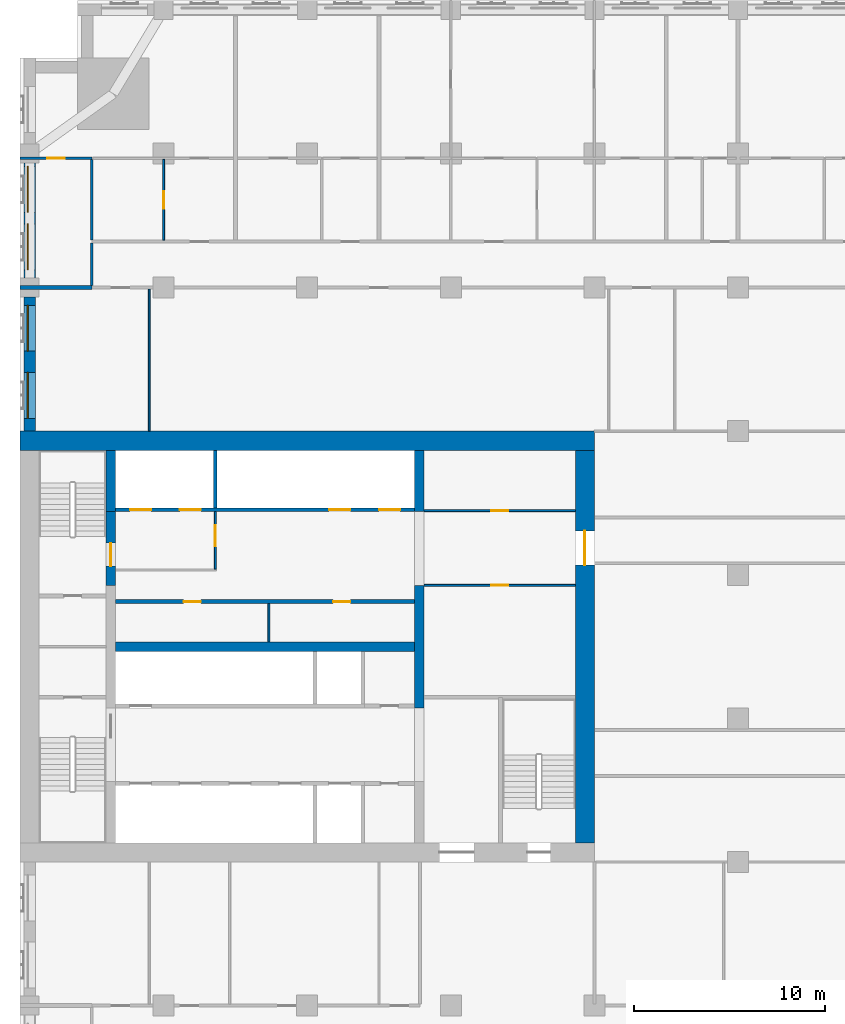
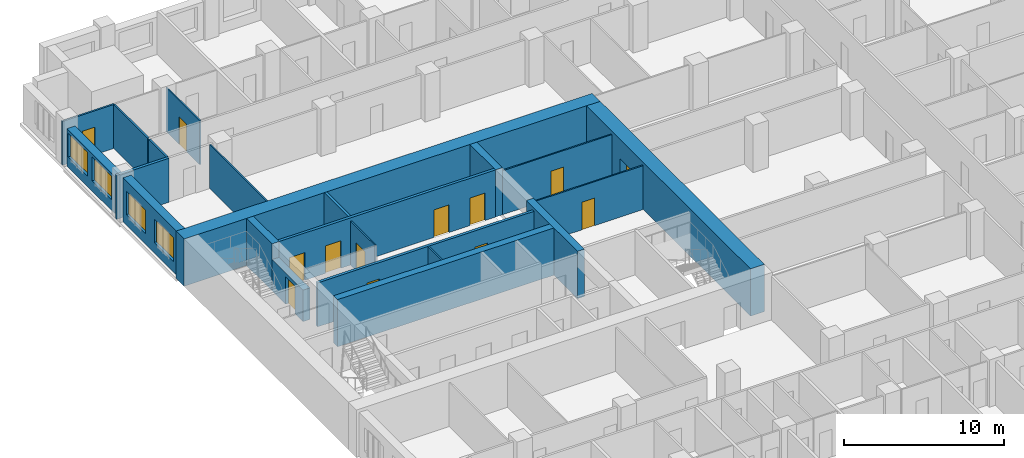
# One storey, part 8 of 14: 22 walls, 13 doors, 4 windows, 17 openings.
"""IFC4 building model written with IfcOpenShell, lengths in metres."""

from ifc_helpers import new_model, si_unit, direction, frame, frame_2d, origin, place, context, subcontext, project, spatial, rectangle, extrude, material, layer, layer_set, type_object, element, fill, save


model = new_model("IFC4")

# Units and contexts
model_context = context("Model", 3, precision=1e-05, world=origin(), true_north=direction((0.0, 1.0)))
body_context = subcontext(model_context, "Body", "Model", "MODEL_VIEW")
ifc_project = project(units=[si_unit("LENGTHUNIT", "METRE"), si_unit("AREAUNIT", "SQUARE_METRE"), si_unit("VOLUMEUNIT", "CUBIC_METRE"), si_unit("PLANEANGLEUNIT", "RADIAN"), si_unit("MASSUNIT", "GRAM", prefix="KILO")], contexts=[model_context])

# Site, building, storey
site_placement = place(None, origin())
site = spatial("IfcSite", under=ifc_project, at=site_placement, CompositionType="ELEMENT")
building_placement = place(site_placement, origin())
building = spatial("IfcBuilding", under=site, at=building_placement, Name="Tamorin Gate", CompositionType="ELEMENT")
storey_placement = place(building_placement, frame((0.0, 0.0, 104.300048828125)))
storey = spatial("IfcBuildingStorey", under=building, at=storey_placement, Name="L25", CompositionType="ELEMENT", Elevation=104.300048828125)

# Wall, openings, windows
ifc_material_1 = material(Name="Precast concrete C40/50", Category="concrete")
ifc_layer_1 = layer(ifc_material_1, 0.60009765625)
ifc_layer_set_1 = layer_set([ifc_layer_1], Name="Precast concrete C40/50")
wall_type_1 = type_object("IfcWallType", Name="Board-marked concrete facade panel 600", PredefinedType="SOLIDWALL", material=ifc_layer_set_1)
wall_1_placement = place(storey_placement, frame((30.5, 96.5, 0.0), z_axis=(0.0, 0.0, 1.0), x_axis=(0.0, -1.0, 0.0)))
wall_1 = element("IfcWall", 1, at=wall_1_placement, inside=storey, type_object=wall_type_1, Name="Facade panel", PredefinedType="SOLIDWALL", context=body_context, shape_type="SweptSolid", body=[
    extrude(rectangle(XDim=6.0, YDim=0.60009765625, at=frame_2d((3.0, 0.0))), origin(), (0.0, 0.0, 1.0), 2.849853515625),
])
opening_1_placement = place(wall_1_placement, frame((3.175048828125, 0.0, 0.800048828125)))
opening_1 = element("IfcOpeningElement", 2, at=opening_1_placement, cuts=wall_1, Name="Opening WN1", PredefinedType="OPENING", context=body_context, shape_type="SweptSolid", body=[
    extrude(rectangle(XDim=2.39990234375, YDim=1.800048828125, at=frame_2d((1.199951171875, 0.89990234375))), frame((0.0, 0.31005859375, 0.0), z_axis=(0.0, -1.0, 0.0), x_axis=(1.0, 0.0, 0.0)), (0.0, 0.0, 1.0), 0.6201171875),
])
opening_2_placement = place(wall_1_placement, frame((0.175048828125, 0.0, 0.800048828125)))
opening_2 = element("IfcOpeningElement", 3, at=opening_2_placement, cuts=wall_1, Name="Opening WN1", PredefinedType="OPENING", context=body_context, shape_type="SweptSolid", body=[
    extrude(rectangle(XDim=2.39990234375, YDim=1.800048828125, at=frame_2d((1.199951171875, 0.89990234375))), frame((0.0, 0.31005859375, 0.0), z_axis=(0.0, -1.0, 0.0), x_axis=(1.0, 0.0, 0.0)), (0.0, 0.0, 1.0), 0.6201171875),
])
ifc_material_2 = material(Name="Clear glass in aluminium frame", Category="aluminium")
window_type = type_object("IfcWindowType", Name="Deep-set window 2400x1800", PartitioningType="SINGLE_PANEL", PredefinedType="WINDOW", material=ifc_material_2)
window_1_placement = place(opening_1_placement, origin())
window_1 = element("IfcWindow", 4, at=window_1_placement, inside=storey, type_object=window_type, Name="Deep-set window", OverallHeight=1.800048828125, OverallWidth=2.39990234375, PartitioningType="SINGLE_PANEL", PredefinedType="WINDOW", context=body_context, shape_type="SweptSolid", body=[
    extrude(rectangle(XDim=2.39990234375, YDim=1.800048828125, at=frame_2d((1.199951171875, 0.89990234375))), frame((0.0, -0.070068359375, 0.0), z_axis=(0.0, -1.0, 0.0), x_axis=(1.0, 0.0, 0.0)), (0.0, 0.0, 1.0), 0.06005859375),
])
fill(opening_1, window_1)
window_2_placement = place(opening_2_placement, origin())
window_2 = element("IfcWindow", 5, at=window_2_placement, inside=storey, type_object=window_type, Name="Deep-set window", OverallHeight=1.800048828125, OverallWidth=2.39990234375, PartitioningType="SINGLE_PANEL", PredefinedType="WINDOW", context=body_context, shape_type="SweptSolid", body=[
    extrude(rectangle(XDim=2.39990234375, YDim=1.800048828125, at=frame_2d((1.199951171875, 0.89990234375))), frame((0.0, -0.070068359375, 0.0), z_axis=(0.0, -1.0, 0.0), x_axis=(1.0, 0.0, 0.0)), (0.0, 0.0, 1.0), 0.06005859375),
])
fill(opening_2, window_2)

wall_2_placement = place(storey_placement, frame((30.5, 89.5, 0.0), z_axis=(0.0, 0.0, 1.0), x_axis=(0.0, -1.0, 0.0)))
wall_2 = element("IfcWall", 6, at=wall_2_placement, inside=storey, type_object=wall_type_1, Name="Facade panel", PredefinedType="SOLIDWALL", context=body_context, shape_type="SweptSolid", body=[
    extrude(rectangle(XDim=7.0, YDim=0.60009765625, at=frame_2d((3.5, 0.0))), origin(), (0.0, 0.0, 1.0), 3.349853515625),
])
opening_3_placement = place(wall_2_placement, frame((3.925048828125, 0.0, 0.800048828125)))
opening_3 = element("IfcOpeningElement", 7, at=opening_3_placement, cuts=wall_2, Name="Opening WN1", PredefinedType="OPENING", context=body_context, shape_type="SweptSolid", body=[
    extrude(rectangle(XDim=2.39990234375, YDim=1.800048828125, at=frame_2d((1.199951171875, 0.89990234375))), frame((0.0, 0.31005859375, 0.0), z_axis=(0.0, -1.0, 0.0), x_axis=(1.0, 0.0, 0.0)), (0.0, 0.0, 1.0), 0.6201171875),
])
opening_4_placement = place(wall_2_placement, frame((0.425048828125, 0.0, 0.800048828125)))
opening_4 = element("IfcOpeningElement", 8, at=opening_4_placement, cuts=wall_2, Name="Opening WN1", PredefinedType="OPENING", context=body_context, shape_type="SweptSolid", body=[
    extrude(rectangle(XDim=2.39990234375, YDim=1.800048828125, at=frame_2d((1.199951171875, 0.89990234375))), frame((0.0, 0.31005859375, 0.0), z_axis=(0.0, -1.0, 0.0), x_axis=(1.0, 0.0, 0.0)), (0.0, 0.0, 1.0), 0.6201171875),
])
window_3_placement = place(opening_3_placement, origin())
window_3 = element("IfcWindow", 9, at=window_3_placement, inside=storey, type_object=window_type, Name="Deep-set window", OverallHeight=1.800048828125, OverallWidth=2.39990234375, PartitioningType="SINGLE_PANEL", PredefinedType="WINDOW", context=body_context, shape_type="SweptSolid", body=[
    extrude(rectangle(XDim=2.39990234375, YDim=1.800048828125, at=frame_2d((1.199951171875, 0.89990234375))), frame((0.0, -0.070068359375, 0.0), z_axis=(0.0, -1.0, 0.0), x_axis=(1.0, 0.0, 0.0)), (0.0, 0.0, 1.0), 0.06005859375),
])
fill(opening_3, window_3)
window_4_placement = place(opening_4_placement, origin())
window_4 = element("IfcWindow", 10, at=window_4_placement, inside=storey, type_object=window_type, Name="Deep-set window", OverallHeight=1.800048828125, OverallWidth=2.39990234375, PartitioningType="SINGLE_PANEL", PredefinedType="WINDOW", context=body_context, shape_type="SweptSolid", body=[
    extrude(rectangle(XDim=2.39990234375, YDim=1.800048828125, at=frame_2d((1.199951171875, 0.89990234375))), frame((0.0, -0.070068359375, 0.0), z_axis=(0.0, -1.0, 0.0), x_axis=(1.0, 0.0, 0.0)), (0.0, 0.0, 1.0), 0.06005859375),
])
fill(opening_4, window_4)

# Walls
ifc_material_3 = material(Name="Gypsum board partition")
ifc_layer_2 = layer(ifc_material_3, 0.14990234375)
ifc_layer_set_2 = layer_set([ifc_layer_2], Name="Corridor wall 150")
wall_type_2 = type_object("IfcWallType", Name="Corridor wall 150", PredefinedType="PARTITIONING", material=ifc_layer_set_2)
wall_3_placement = place(storey_placement, frame((33.75, 90.10009765625, 0.0), z_axis=(0.0, 0.0, 1.0), x_axis=(0.0, 1.0, 0.0)))
element("IfcWall", 11, at=wall_3_placement, inside=storey, type_object=wall_type_2, Name="Corridor wall 150", PredefinedType="PARTITIONING", context=body_context, shape_type="SweptSolid", body=[
    extrude(rectangle(XDim=2.224853515625, YDim=0.14990234375, at=frame_2d((1.1123046875, 0.0))), origin(), (0.0, 0.0, 1.0), 3.349853515625),
])
ifc_layer_3 = layer(ifc_material_3, 0.199951171875)
ifc_layer_set_3 = layer_set([ifc_layer_3], Name="Demising wall 200")
wall_type_3 = type_object("IfcWallType", Name="Demising wall 200", PredefinedType="PARTITIONING", material=ifc_layer_set_3)
wall_4_placement = place(storey_placement, frame((30.0, 90.0, 0.0), z_axis=(0.0, 0.0, 1.0), x_axis=(1.0, 0.0, 0.0)))
element("IfcWall", 12, at=wall_4_placement, inside=storey, type_object=wall_type_3, Name="Demising wall 200", PredefinedType="PARTITIONING", context=body_context, shape_type="SweptSolid", body=[
    extrude(rectangle(XDim=3.75, YDim=0.199951171875, at=frame_2d((1.875, 0.0))), origin(), (0.0, 0.0, 1.0), 3.349853515625),
])

# Wall, openings, doors
ifc_material_4 = material(Name="Concrete C32/40", Category="concrete")
ifc_layer_4 = layer(ifc_material_4, 0.199951171875)
ifc_layer_set_4 = layer_set([ifc_layer_4], Name="Lift lobby face wall 200 EI 120")
wall_type_4 = type_object("IfcWallType", Name="Lift lobby face wall 200 EI 120", PredefinedType="SOLIDWALL", material=ifc_layer_set_4)
wall_5_placement = place(storey_placement, frame((35.0, 78.39990234375, 0.0), z_axis=(0.0, 0.0, 1.0), x_axis=(1.0, 0.0, 0.0)))
wall_5 = element("IfcWall", 13, at=wall_5_placement, inside=storey, type_object=wall_type_4, Name="Lift lobby face wall", PredefinedType="SOLIDWALL", context=body_context, shape_type="SweptSolid", body=[
    extrude(rectangle(XDim=15.60009765625, YDim=0.199951171875, at=frame_2d((7.800048828125, 0.0))), origin(), (0.0, 0.0, 1.0), 3.599853515625),
])
opening_5_placement = place(wall_5_placement, frame((0.75, 0.0, 0.0)))
opening_5 = element("IfcOpeningElement", 14, at=opening_5_placement, cuts=wall_5, Name="Opening LD17", PredefinedType="OPENING", context=body_context, shape_type="SweptSolid", body=[
    extrude(rectangle(XDim=1.10009765625, YDim=2.10009765625, at=frame_2d((0.550048828125, 1.050048828125))), frame((0.0, 0.10986328125, 0.0), z_axis=(0.0, -1.0, 0.0), x_axis=(1.0, 0.0, 0.0)), (0.0, 0.0, 1.0), 0.219970703125),
])
opening_6_placement = place(wall_5_placement, frame((3.35009765625, 0.0, 0.0)))
opening_6 = element("IfcOpeningElement", 15, at=opening_6_placement, cuts=wall_5, Name="Opening LD18", PredefinedType="OPENING", context=body_context, shape_type="SweptSolid", body=[
    extrude(rectangle(XDim=1.10009765625, YDim=2.10009765625, at=frame_2d((0.550048828125, 1.050048828125))), frame((0.0, 0.10986328125, 0.0), z_axis=(0.0, -1.0, 0.0), x_axis=(1.0, 0.0, 0.0)), (0.0, 0.0, 1.0), 0.219970703125),
])
opening_7_placement = place(wall_5_placement, frame((11.14990234375, 0.0, 0.0)))
opening_7 = element("IfcOpeningElement", 16, at=opening_7_placement, cuts=wall_5, Name="Opening LD21", PredefinedType="OPENING", context=body_context, shape_type="SweptSolid", body=[
    extrude(rectangle(XDim=1.10009765625, YDim=2.10009765625, at=frame_2d((0.550048828125, 1.050048828125))), frame((0.0, 0.10986328125, 0.0), z_axis=(0.0, -1.0, 0.0), x_axis=(1.0, 0.0, 0.0)), (0.0, 0.0, 1.0), 0.219970703125),
])
opening_8_placement = place(wall_5_placement, frame((13.75, 0.0, 0.0)))
opening_8 = element("IfcOpeningElement", 17, at=opening_8_placement, cuts=wall_5, Name="Opening LD22", PredefinedType="OPENING", context=body_context, shape_type="SweptSolid", body=[
    extrude(rectangle(XDim=1.10009765625, YDim=2.10009765625, at=frame_2d((0.550048828125, 1.050048828125))), frame((0.0, 0.10986328125, 0.0), z_axis=(0.0, -1.0, 0.0), x_axis=(1.0, 0.0, 0.0)), (0.0, 0.0, 1.0), 0.219970703125),
])
ifc_material_5 = material(Name="Stainless steel sliding door", Category="steel")
door_type_1 = type_object("IfcDoorType", Name="Lift landing door 1100 x 2100 E 90", OperationType="DOUBLE_DOOR_SLIDING", PredefinedType="DOOR", material=ifc_material_5)
door_1_placement = place(opening_5_placement, origin())
door_1 = element("IfcDoor", 18, at=door_1_placement, inside=storey, type_object=door_type_1, Name="FF1 landing door", OperationType="DOUBLE_DOOR_SLIDING", OverallHeight=2.10009765625, OverallWidth=1.10009765625, PredefinedType="DOOR", context=body_context, shape_type="SweptSolid", body=[
    extrude(rectangle(XDim=1.10009765625, YDim=2.10009765625, at=frame_2d((0.550048828125, 1.050048828125))), frame((0.0, 0.02490234375, 0.0), z_axis=(0.0, -1.0, 0.0), x_axis=(1.0, 0.0, 0.0)), (0.0, 0.0, 1.0), 0.050048828125),
])
fill(opening_5, door_1)
door_2_placement = place(opening_6_placement, origin())
door_2 = element("IfcDoor", 19, at=door_2_placement, inside=storey, type_object=door_type_1, Name="FF2 landing door", OperationType="DOUBLE_DOOR_SLIDING", OverallHeight=2.10009765625, OverallWidth=1.10009765625, PredefinedType="DOOR", context=body_context, shape_type="SweptSolid", body=[
    extrude(rectangle(XDim=1.10009765625, YDim=2.10009765625, at=frame_2d((0.550048828125, 1.050048828125))), frame((0.0, 0.02490234375, 0.0), z_axis=(0.0, -1.0, 0.0), x_axis=(1.0, 0.0, 0.0)), (0.0, 0.0, 1.0), 0.050048828125),
])
fill(opening_6, door_2)
door_3_placement = place(opening_7_placement, origin())
door_3 = element("IfcDoor", 20, at=door_3_placement, inside=storey, type_object=door_type_1, Name="SV1 landing door", OperationType="DOUBLE_DOOR_SLIDING", OverallHeight=2.10009765625, OverallWidth=1.10009765625, PredefinedType="DOOR", context=body_context, shape_type="SweptSolid", body=[
    extrude(rectangle(XDim=1.10009765625, YDim=2.10009765625, at=frame_2d((0.550048828125, 1.050048828125))), frame((0.0, 0.02490234375, 0.0), z_axis=(0.0, -1.0, 0.0), x_axis=(1.0, 0.0, 0.0)), (0.0, 0.0, 1.0), 0.050048828125),
])
fill(opening_7, door_3)
door_4_placement = place(opening_8_placement, origin())
door_4 = element("IfcDoor", 21, at=door_4_placement, inside=storey, type_object=door_type_1, Name="SV2 landing door", OperationType="DOUBLE_DOOR_SLIDING", OverallHeight=2.10009765625, OverallWidth=1.10009765625, PredefinedType="DOOR", context=body_context, shape_type="SweptSolid", body=[
    extrude(rectangle(XDim=1.10009765625, YDim=2.10009765625, at=frame_2d((0.550048828125, 1.050048828125))), frame((0.0, 0.02490234375, 0.0), z_axis=(0.0, -1.0, 0.0), x_axis=(1.0, 0.0, 0.0)), (0.0, 0.0, 1.0), 0.050048828125),
])
fill(opening_8, door_4)

# Wall
ifc_layer_5 = layer(ifc_material_4, 0.199951171875)
ifc_layer_set_5 = layer_set([ifc_layer_5], Name="Lift shaft wall 200 EI 120")
wall_type_5 = type_object("IfcWallType", Name="Lift shaft wall 200 EI 120", PredefinedType="SOLIDWALL", material=ifc_layer_set_5)
wall_6_placement = place(storey_placement, frame((40.199951171875, 78.5, 0.0), z_axis=(0.0, 0.0, 1.0), x_axis=(0.0, 1.0, 0.0)))
element("IfcWall", 22, at=wall_6_placement, inside=storey, type_object=wall_type_5, Name="Lift shaft wall", PredefinedType="SOLIDWALL", context=body_context, shape_type="SweptSolid", body=[
    extrude(rectangle(XDim=3.0, YDim=0.199951171875, at=frame_2d((1.5, 0.0))), origin(), (0.0, 0.0, 1.0), 3.599853515625),
])

# Wall, opening, door
ifc_material_6 = material(Name="Fire-rated gypsum board partition")
ifc_layer_6 = layer(ifc_material_6, 0.10009765625)
ifc_layer_set_6 = layer_set([ifc_layer_6], Name="Lobby wall 100 EI 60")
wall_type_6 = type_object("IfcWallType", Name="Lobby wall 100 EI 60", PredefinedType="PARTITIONING", material=ifc_layer_set_6)
wall_7_placement = place(storey_placement, frame((40.199951171875, 75.300048828125, 0.0), z_axis=(0.0, 0.0, 1.0), x_axis=(0.0, 1.0, 0.0)))
wall_7 = element("IfcWall", 23, at=wall_7_placement, inside=storey, type_object=wall_type_6, Name="Firefighting lobby wall", PredefinedType="PARTITIONING", context=body_context, shape_type="SweptSolid", body=[
    extrude(rectangle(XDim=3.0, YDim=0.10009765625, at=frame_2d((1.5, 0.0))), origin(), (0.0, 0.0, 1.0), 3.349853515625),
])
opening_9_placement = place(wall_7_placement, frame((1.199951171875, 0.0, 0.0)))
opening_9 = element("IfcOpeningElement", 24, at=opening_9_placement, cuts=wall_7, Name="Opening DF1", PredefinedType="OPENING", context=body_context, shape_type="SweptSolid", body=[
    extrude(rectangle(XDim=1.10009765625, YDim=2.10009765625, at=frame_2d((0.550048828125, 1.050048828125))), frame((0.0, 0.06005859375, 0.0), z_axis=(0.0, -1.0, 0.0), x_axis=(1.0, 0.0, 0.0)), (0.0, 0.0, 1.0), 0.1201171875),
])
ifc_material_7 = material(Name="Steel fire door", Category="steel")
door_type_2 = type_object("IfcDoorType", Name="Firefighting lobby door 1100 x 2100 EI 90", OperationType="SINGLE_SWING_LEFT", PredefinedType="DOOR", material=ifc_material_7)
door_5_placement = place(opening_9_placement, origin())
door_5 = element("IfcDoor", 25, at=door_5_placement, inside=storey, type_object=door_type_2, Name="Firefighting lobby door", OperationType="SINGLE_SWING_LEFT", OverallHeight=2.10009765625, OverallWidth=1.10009765625, PredefinedType="DOOR", context=body_context, shape_type="SweptSolid", body=[
    extrude(rectangle(XDim=1.10009765625, YDim=2.10009765625, at=frame_2d((0.550048828125, 1.050048828125))), frame((0.0, 0.02490234375, 0.0), z_axis=(0.0, -1.0, 0.0), x_axis=(1.0, 0.0, 0.0)), (0.0, 0.0, 1.0), 0.050048828125),
])
fill(opening_9, door_5)

# Walls
ifc_material_8 = material(Name="Concrete C80/95", Category="concrete")
ifc_layer_7 = layer(ifc_material_8, 0.5)
ifc_layer_set_7 = layer_set([ifc_layer_7], Name="RC core internal wall 500 C80/95")
wall_type_7 = type_object("IfcWallType", Name="RC core internal wall 500 C80/95", PredefinedType="SHEAR", material=ifc_layer_set_7)
wall_8_placement = place(storey_placement, frame((35.0, 71.25, 0.0), z_axis=(0.0, 0.0, 1.0), x_axis=(1.0, 0.0, 0.0)))
element("IfcWall", 26, at=wall_8_placement, inside=storey, type_object=wall_type_7, Name="Core spine wall L25", PredefinedType="SHEAR", context=body_context, shape_type="SweptSolid", body=[
    extrude(rectangle(XDim=15.60009765625, YDim=0.5, at=frame_2d((7.800048828125, 0.0))), origin(), (0.0, 0.0, 1.0), 3.599853515625),
])
wall_9_placement = place(storey_placement, frame((34.75, 78.300048828125, 0.0), z_axis=(0.0, 0.0, 1.0), x_axis=(0.0, 1.0, 0.0)))
element("IfcWall", 27, at=wall_9_placement, inside=storey, type_object=wall_type_7, Name="Core cross wall L25", PredefinedType="SHEAR", context=body_context, shape_type="SweptSolid", body=[
    extrude(rectangle(XDim=3.199951171875, YDim=0.5, at=frame_2d((1.60009765625, 0.0))), origin(), (0.0, 0.0, 1.0), 3.599853515625),
])
wall_10_placement = place(storey_placement, frame((50.85009765625, 68.050048828125, 0.0), z_axis=(0.0, 0.0, 1.0), x_axis=(0.0, 1.0, 0.0)))
element("IfcWall", 28, at=wall_10_placement, inside=storey, type_object=wall_type_7, Name="Core cross wall L25", PredefinedType="SHEAR", context=body_context, shape_type="SweptSolid", body=[
    extrude(rectangle(XDim=6.39990234375, YDim=0.5, at=frame_2d((3.199951171875, 0.0))), origin(), (0.0, 0.0, 1.0), 3.599853515625),
])
wall_11_placement = place(storey_placement, frame((50.85009765625, 78.300048828125, 0.0), z_axis=(0.0, 0.0, 1.0), x_axis=(0.0, 1.0, 0.0)))
element("IfcWall", 29, at=wall_11_placement, inside=storey, type_object=wall_type_7, Name="Core cross wall L25", PredefinedType="SHEAR", context=body_context, shape_type="SweptSolid", body=[
    extrude(rectangle(XDim=3.199951171875, YDim=0.5, at=frame_2d((1.60009765625, 0.0))), origin(), (0.0, 0.0, 1.0), 3.599853515625),
])
ifc_layer_8 = layer(ifc_material_8, 1.0)
ifc_layer_set_8 = layer_set([ifc_layer_8], Name="RC core wall 1000 C80/95")
wall_type_8 = type_object("IfcWallType", Name="RC core wall 1000 C80/95", PredefinedType="SHEAR", material=ifc_layer_set_8)
wall_12_placement = place(storey_placement, frame((30.0, 82.0, 0.0), z_axis=(0.0, 0.0, 1.0), x_axis=(1.0, 0.0, 0.0)))
element("IfcWall", 30, at=wall_12_placement, inside=storey, type_object=wall_type_8, Name="Core wall L25", PredefinedType="SHEAR", context=body_context, shape_type="SweptSolid", body=[
    extrude(rectangle(XDim=30.0, YDim=1.0, at=frame_2d((15.0, 0.0))), origin(), (0.0, 0.0, 1.0), 3.599853515625),
])

# Wall, opening, door
wall_13_placement = place(storey_placement, frame((59.5, 61.0, 0.0), z_axis=(0.0, 0.0, 1.0), x_axis=(0.0, 1.0, 0.0)))
wall_13 = element("IfcWall", 31, at=wall_13_placement, inside=storey, type_object=wall_type_8, Name="Core wall L25", PredefinedType="SHEAR", context=body_context, shape_type="SweptSolid", body=[
    extrude(rectangle(XDim=20.5, YDim=1.0, at=frame_2d((10.25, 0.0))), origin(), (0.0, 0.0, 1.0), 3.599853515625),
])
opening_10_placement = place(wall_13_placement, frame((14.5, 0.0, 0.0)))
opening_10 = element("IfcOpeningElement", 32, at=opening_10_placement, cuts=wall_13, Name="Opening DE1", PredefinedType="OPENING", context=body_context, shape_type="SweptSolid", body=[
    extrude(rectangle(XDim=1.800048828125, YDim=2.10009765625, at=frame_2d((0.89990234375, 1.050048828125))), frame((0.0, 0.510009765625, 0.0), z_axis=(0.0, -1.0, 0.0), x_axis=(1.0, 0.0, 0.0)), (0.0, 0.0, 1.0), 1.02001953125),
])
door_type_3 = type_object("IfcDoorType", Name="Lobby exit double door 1800 x 2100 EI 60", OperationType="DOUBLE_DOOR_SINGLE_SWING", PredefinedType="DOOR", material=ifc_material_7)
door_6_placement = place(opening_10_placement, origin())
door_6 = element("IfcDoor", 33, at=door_6_placement, inside=storey, type_object=door_type_3, Name="Lift lobby B exit door", OperationType="DOUBLE_DOOR_SINGLE_SWING", OverallHeight=2.10009765625, OverallWidth=1.800048828125, PredefinedType="DOOR", context=body_context, shape_type="SweptSolid", body=[
    extrude(rectangle(XDim=1.800048828125, YDim=2.10009765625, at=frame_2d((0.89990234375, 1.050048828125))), frame((0.0, 0.02490234375, 0.0), z_axis=(0.0, -1.0, 0.0), x_axis=(1.0, 0.0, 0.0)), (0.0, 0.0, 1.0), 0.050048828125),
])
fill(opening_10, door_6)

# Wall
ifc_layer_9 = layer(ifc_material_3, 0.10009765625)
ifc_layer_set_9 = layer_set([ifc_layer_9], Name="Room partition 100")
wall_type_9 = type_object("IfcWallType", Name="Room partition 100", PredefinedType="PARTITIONING", material=ifc_layer_set_9)
wall_14_placement = place(storey_placement, frame((36.75, 82.5, 0.0), z_axis=(0.0, 0.0, 1.0), x_axis=(0.0, 1.0, 0.0)))
element("IfcWall", 34, at=wall_14_placement, inside=storey, type_object=wall_type_9, Name="Room partition 100", PredefinedType="PARTITIONING", context=body_context, shape_type="SweptSolid", body=[
    extrude(rectangle(XDim=7.425048828125, YDim=0.10009765625, at=frame_2d((3.71240234375, 0.0))), origin(), (0.0, 0.0, 1.0), 3.349853515625),
])

# Wall, opening, door
wall_15_placement = place(storey_placement, frame((37.5, 92.47509765625, 0.0), z_axis=(0.0, 0.0, 1.0), x_axis=(0.0, 1.0, 0.0)))
wall_15 = element("IfcWall", 35, at=wall_15_placement, inside=storey, type_object=wall_type_9, Name="Room partition 100", PredefinedType="PARTITIONING", context=body_context, shape_type="SweptSolid", body=[
    extrude(rectangle(XDim=4.224853515625, YDim=0.10009765625, at=frame_2d((2.1123046875, 0.0))), origin(), (0.0, 0.0, 1.0), 3.349853515625),
])
opening_11_placement = place(wall_15_placement, frame((1.64990234375, 0.0, 0.0)))
opening_11 = element("IfcOpeningElement", 36, at=opening_11_placement, cuts=wall_15, Name="Opening DH8024", PredefinedType="OPENING", context=body_context, shape_type="SweptSolid", body=[
    extrude(rectangle(XDim=0.89990234375, YDim=2.10009765625, at=frame_2d((0.449951171875, 1.050048828125))), frame((0.0, 0.06005859375, 0.0), z_axis=(0.0, -1.0, 0.0), x_axis=(1.0, 0.0, 0.0)), (0.0, 0.0, 1.0), 0.1201171875),
])
ifc_material_9 = material(Name="Timber door leaf", Category="wood")
door_type_4 = type_object("IfcDoorType", Name="Door 900 x 2100", OperationType="NOTDEFINED", PredefinedType="DOOR", material=ifc_material_9)
door_7_placement = place(opening_11_placement, origin())
door_7 = element("IfcDoor", 37, at=door_7_placement, inside=storey, type_object=door_type_4, Name="Door DH8024", OperationType="SINGLE_SWING_RIGHT", OverallHeight=2.10009765625, OverallWidth=0.89990234375, PredefinedType="DOOR", context=body_context, shape_type="SweptSolid", body=[
    extrude(rectangle(XDim=0.89990234375, YDim=2.10009765625, at=frame_2d((0.449951171875, 1.050048828125))), frame((0.0, 0.02490234375, 0.0), z_axis=(0.0, -1.0, 0.0), x_axis=(1.0, 0.0, 0.0)), (0.0, 0.0, 1.0), 0.050048828125),
])
fill(opening_11, door_7)

# Wall, openings, doors
ifc_layer_10 = layer(ifc_material_3, 0.199951171875)
ifc_layer_set_10 = layer_set([ifc_layer_10], Name="Service room face wall 200 EI 60")
wall_type_10 = type_object("IfcWallType", Name="Service room face wall 200 EI 60", PredefinedType="PARTITIONING", material=ifc_layer_set_10)
wall_16_placement = place(storey_placement, frame((35.0, 73.60009765625, 0.0), z_axis=(0.0, 0.0, 1.0), x_axis=(1.0, 0.0, 0.0)))
wall_16 = element("IfcWall", 38, at=wall_16_placement, inside=storey, type_object=wall_type_10, Name="Service room face wall", PredefinedType="PARTITIONING", context=body_context, shape_type="SweptSolid", body=[
    extrude(rectangle(XDim=15.60009765625, YDim=0.199951171875, at=frame_2d((7.800048828125, 0.0))), origin(), (0.0, 0.0, 1.0), 3.349853515625),
])
opening_12_placement = place(wall_16_placement, frame((3.550048828125, 0.0, 0.0)))
opening_12 = element("IfcOpeningElement", 39, at=opening_12_placement, cuts=wall_16, Name="Opening DK1", PredefinedType="OPENING", context=body_context, shape_type="SweptSolid", body=[
    extrude(rectangle(XDim=0.89990234375, YDim=2.10009765625, at=frame_2d((0.449951171875, 1.050048828125))), frame((0.0, 0.10986328125, 0.0), z_axis=(0.0, -1.0, 0.0), x_axis=(1.0, 0.0, 0.0)), (0.0, 0.0, 1.0), 0.219970703125),
])
opening_13_placement = place(wall_16_placement, frame((11.35009765625, 0.0, 0.0)))
opening_13 = element("IfcOpeningElement", 40, at=opening_13_placement, cuts=wall_16, Name="Opening DK1", PredefinedType="OPENING", context=body_context, shape_type="SweptSolid", body=[
    extrude(rectangle(XDim=0.89990234375, YDim=2.10009765625, at=frame_2d((0.449951171875, 1.050048828125))), frame((0.0, 0.10986328125, 0.0), z_axis=(0.0, -1.0, 0.0), x_axis=(1.0, 0.0, 0.0)), (0.0, 0.0, 1.0), 0.219970703125),
])
ifc_material_10 = material(Name="Timber fire door", Category="wood")
door_type_5 = type_object("IfcDoorType", Name="Service room door 900 x 2100 EI 60", OperationType="SINGLE_SWING_LEFT", PredefinedType="DOOR", material=ifc_material_10)
door_8_placement = place(opening_12_placement, origin())
door_8 = element("IfcDoor", 41, at=door_8_placement, inside=storey, type_object=door_type_5, Name="Door Linen store", OperationType="SINGLE_SWING_LEFT", OverallHeight=2.10009765625, OverallWidth=0.89990234375, PredefinedType="DOOR", context=body_context, shape_type="SweptSolid", body=[
    extrude(rectangle(XDim=0.89990234375, YDim=2.10009765625, at=frame_2d((0.449951171875, 1.050048828125))), frame((0.0, 0.02490234375, 0.0), z_axis=(0.0, -1.0, 0.0), x_axis=(1.0, 0.0, 0.0)), (0.0, 0.0, 1.0), 0.050048828125),
])
fill(opening_12, door_8)
door_9_placement = place(opening_13_placement, origin())
door_9 = element("IfcDoor", 42, at=door_9_placement, inside=storey, type_object=door_type_5, Name="Door Cleaner's store", OperationType="SINGLE_SWING_RIGHT", OverallHeight=2.10009765625, OverallWidth=0.89990234375, PredefinedType="DOOR", context=body_context, shape_type="SweptSolid", body=[
    extrude(rectangle(XDim=0.89990234375, YDim=2.10009765625, at=frame_2d((0.449951171875, 1.050048828125))), frame((0.0, 0.02490234375, 0.0), z_axis=(0.0, -1.0, 0.0), x_axis=(1.0, 0.0, 0.0)), (0.0, 0.0, 1.0), 0.050048828125),
])
fill(opening_13, door_9)

# Wall
ifc_layer_11 = layer(ifc_material_3, 0.10009765625)
ifc_layer_set_11 = layer_set([ifc_layer_11], Name="Service room partition 100 EI 60")
wall_type_11 = type_object("IfcWallType", Name="Service room partition 100 EI 60", PredefinedType="PARTITIONING", material=ifc_layer_set_11)
wall_17_placement = place(storey_placement, frame((43.0, 71.5, 0.0), z_axis=(0.0, 0.0, 1.0), x_axis=(0.0, 1.0, 0.0)))
element("IfcWall", 43, at=wall_17_placement, inside=storey, type_object=wall_type_11, Name="Service room partition", PredefinedType="PARTITIONING", context=body_context, shape_type="SweptSolid", body=[
    extrude(rectangle(XDim=2.0, YDim=0.10009765625, at=frame_2d((1.0, 0.0))), origin(), (0.0, 0.0, 1.0), 3.349853515625),
])

# Wall, opening, door
wall_18_placement = place(storey_placement, frame((51.10009765625, 74.449951171875, 0.0), z_axis=(0.0, 0.0, 1.0), x_axis=(1.0, 0.0, 0.0)))
wall_18 = element("IfcWall", 44, at=wall_18_placement, inside=storey, type_object=wall_type_11, Name="Service room wall", PredefinedType="PARTITIONING", context=body_context, shape_type="SweptSolid", body=[
    extrude(rectangle(XDim=7.89990234375, YDim=0.10009765625, at=frame_2d((3.949951171875, 0.0))), origin(), (0.0, 0.0, 1.0), 3.349853515625),
])
opening_14_placement = place(wall_18_placement, frame((3.5, 0.0, 0.0)))
opening_14 = element("IfcOpeningElement", 45, at=opening_14_placement, cuts=wall_18, Name="Opening DR1", PredefinedType="OPENING", context=body_context, shape_type="SweptSolid", body=[
    extrude(rectangle(XDim=0.89990234375, YDim=2.10009765625, at=frame_2d((0.449951171875, 1.050048828125))), frame((0.0, 0.06005859375, 0.0), z_axis=(0.0, -1.0, 0.0), x_axis=(1.0, 0.0, 0.0)), (0.0, 0.0, 1.0), 0.1201171875),
])
door_type_6 = type_object("IfcDoorType", Name="Riser access door 900 x 2100 EI 120", OperationType="SINGLE_SWING_LEFT", PredefinedType="DOOR", material=ifc_material_7)
door_10_placement = place(opening_14_placement, origin())
door_10 = element("IfcDoor", 46, at=door_10_placement, inside=storey, type_object=door_type_6, Name="Duct riser door", OperationType="SINGLE_SWING_LEFT", OverallHeight=2.10009765625, OverallWidth=0.89990234375, PredefinedType="DOOR", context=body_context, shape_type="SweptSolid", body=[
    extrude(rectangle(XDim=0.89990234375, YDim=2.10009765625, at=frame_2d((0.449951171875, 1.050048828125))), frame((0.0, 0.02490234375, 0.0), z_axis=(0.0, -1.0, 0.0), x_axis=(1.0, 0.0, 0.0)), (0.0, 0.0, 1.0), 0.050048828125),
])
fill(opening_14, door_10)

wall_19_placement = place(storey_placement, frame((51.10009765625, 78.35009765625, 0.0), z_axis=(0.0, 0.0, 1.0), x_axis=(1.0, 0.0, 0.0)))
wall_19 = element("IfcWall", 47, at=wall_19_placement, inside=storey, type_object=wall_type_11, Name="Service room wall", PredefinedType="PARTITIONING", context=body_context, shape_type="SweptSolid", body=[
    extrude(rectangle(XDim=7.89990234375, YDim=0.10009765625, at=frame_2d((3.949951171875, 0.0))), origin(), (0.0, 0.0, 1.0), 3.349853515625),
])
opening_15_placement = place(wall_19_placement, frame((3.5, 0.0, 0.0)))
opening_15 = element("IfcOpeningElement", 48, at=opening_15_placement, cuts=wall_19, Name="Opening DK1", PredefinedType="OPENING", context=body_context, shape_type="SweptSolid", body=[
    extrude(rectangle(XDim=0.89990234375, YDim=2.10009765625, at=frame_2d((0.449951171875, 1.050048828125))), frame((0.0, 0.06005859375, 0.0), z_axis=(0.0, -1.0, 0.0), x_axis=(1.0, 0.0, 0.0)), (0.0, 0.0, 1.0), 0.1201171875),
])
door_11_placement = place(opening_15_placement, origin())
door_11 = element("IfcDoor", 49, at=door_11_placement, inside=storey, type_object=door_type_5, Name="Door Linen store", OperationType="SINGLE_SWING_LEFT", OverallHeight=2.10009765625, OverallWidth=0.89990234375, PredefinedType="DOOR", context=body_context, shape_type="SweptSolid", body=[
    extrude(rectangle(XDim=0.89990234375, YDim=2.10009765625, at=frame_2d((0.449951171875, 1.050048828125))), frame((0.0, 0.02490234375, 0.0), z_axis=(0.0, -1.0, 0.0), x_axis=(1.0, 0.0, 0.0)), (0.0, 0.0, 1.0), 0.050048828125),
])
fill(opening_15, door_11)

ifc_layer_12 = layer(ifc_material_4, 0.5)
ifc_layer_set_12 = layer_set([ifc_layer_12], Name="Stair lobby infill wall 500 EI 120")
wall_type_12 = type_object("IfcWallType", Name="Stair lobby infill wall 500 EI 120", PredefinedType="SOLIDWALL", material=ifc_layer_set_12)
wall_20_placement = place(storey_placement, frame((34.75, 74.449951171875, 0.0), z_axis=(0.0, 0.0, 1.0), x_axis=(0.0, 1.0, 0.0)))
wall_20 = element("IfcWall", 50, at=wall_20_placement, inside=storey, type_object=wall_type_12, Name="Stair lobby infill wall", PredefinedType="SOLIDWALL", context=body_context, shape_type="SweptSolid", body=[
    extrude(rectangle(XDim=3.85009765625, YDim=0.5, at=frame_2d((1.925048828125, 0.0))), origin(), (0.0, 0.0, 1.0), 2.39990234375),
])
opening_16_placement = place(wall_20_placement, frame((1.0, 0.0, 0.0)))
opening_16 = element("IfcOpeningElement", 51, at=opening_16_placement, cuts=wall_20, Name="Opening DS1", PredefinedType="OPENING", context=body_context, shape_type="SweptSolid", body=[
    extrude(rectangle(XDim=1.199951171875, YDim=2.10009765625, at=frame_2d((0.60009765625, 1.050048828125))), frame((0.0, 0.260009765625, 0.0), z_axis=(0.0, -1.0, 0.0), x_axis=(1.0, 0.0, 0.0)), (0.0, 0.0, 1.0), 0.52001953125),
])
door_type_7 = type_object("IfcDoorType", Name="Stair door 1200 x 2100 EI 90", OperationType="SINGLE_SWING_LEFT", PredefinedType="DOOR", material=ifc_material_7)
door_12_placement = place(opening_16_placement, origin())
door_12 = element("IfcDoor", 52, at=door_12_placement, inside=storey, type_object=door_type_7, Name="ST2 door", OperationType="SINGLE_SWING_RIGHT", OverallHeight=2.10009765625, OverallWidth=1.199951171875, PredefinedType="DOOR", context=body_context, shape_type="SweptSolid", body=[
    extrude(rectangle(XDim=1.199951171875, YDim=2.10009765625, at=frame_2d((0.60009765625, 1.050048828125))), frame((0.0, 0.02490234375, 0.0), z_axis=(0.0, -1.0, 0.0), x_axis=(1.0, 0.0, 0.0)), (0.0, 0.0, 1.0), 0.050048828125),
])
fill(opening_16, door_12)

ifc_layer_13 = layer(ifc_material_3, 0.125)
ifc_layer_set_13 = layer_set([ifc_layer_13], Name="Wet wall 125")
wall_type_13 = type_object("IfcWallType", Name="Wet wall 125", PredefinedType="PARTITIONING", material=ifc_layer_set_13)
wall_21_placement = place(storey_placement, frame((30.0, 96.75, 0.0), z_axis=(0.0, 0.0, 1.0), x_axis=(1.0, 0.0, 0.0)))
wall_21 = element("IfcWall", 53, at=wall_21_placement, inside=storey, type_object=wall_type_13, Name="Wet wall 125", PredefinedType="PARTITIONING", context=body_context, shape_type="SweptSolid", body=[
    extrude(rectangle(XDim=3.75, YDim=0.125, at=frame_2d((1.875, 0.0))), origin(), (0.0, 0.0, 1.0), 3.349853515625),
])
opening_17_placement = place(wall_21_placement, frame((1.425048828125, 0.0, 0.0)))
opening_17 = element("IfcOpeningElement", 54, at=opening_17_placement, cuts=wall_21, Name="Opening DH8023", PredefinedType="OPENING", context=body_context, shape_type="SweptSolid", body=[
    extrude(rectangle(XDim=0.89990234375, YDim=2.10009765625, at=frame_2d((0.449951171875, 1.050048828125))), frame((0.0, 0.072509765625, 0.0), z_axis=(0.0, -1.0, 0.0), x_axis=(1.0, 0.0, 0.0)), (0.0, 0.0, 1.0), 0.14501953125),
])
door_13_placement = place(opening_17_placement, origin())
door_13 = element("IfcDoor", 55, at=door_13_placement, inside=storey, type_object=door_type_4, Name="Door DH8023", OperationType="SINGLE_SWING_RIGHT", OverallHeight=2.10009765625, OverallWidth=0.89990234375, PredefinedType="DOOR", context=body_context, shape_type="SweptSolid", body=[
    extrude(rectangle(XDim=0.89990234375, YDim=2.10009765625, at=frame_2d((0.449951171875, 1.050048828125))), frame((0.0, 0.02490234375, 0.0), z_axis=(0.0, -1.0, 0.0), x_axis=(1.0, 0.0, 0.0)), (0.0, 0.0, 1.0), 0.050048828125),
])
fill(opening_17, door_13)

# Wall
wall_22_placement = place(storey_placement, frame((33.75, 92.47509765625, 0.0), z_axis=(0.0, 0.0, 1.0), x_axis=(0.0, 1.0, 0.0)))
element("IfcWall", 56, at=wall_22_placement, inside=storey, type_object=wall_type_13, Name="Wet wall 125", PredefinedType="PARTITIONING", context=body_context, shape_type="SweptSolid", body=[
    extrude(rectangle(XDim=4.21240234375, YDim=0.125, at=frame_2d((2.106201171875, 0.0))), origin(), (0.0, 0.0, 1.0), 3.349853515625),
])

save(model, "model.ifc")
